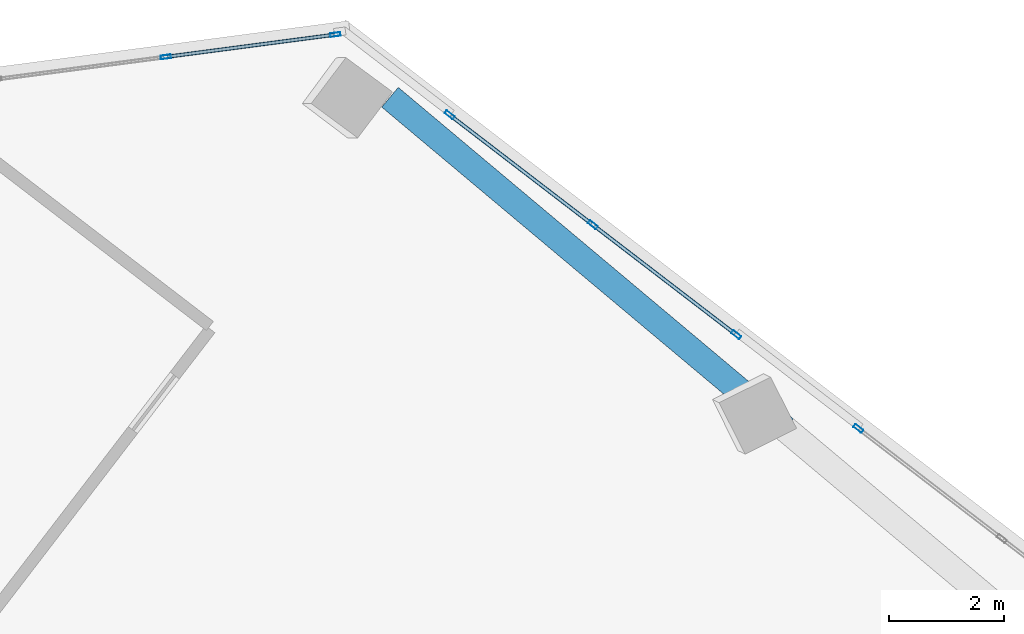
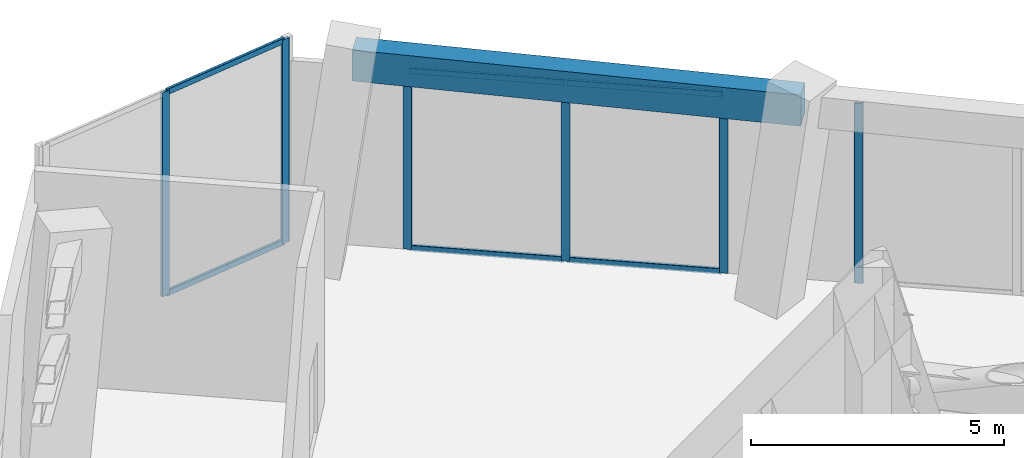
# One storey, part 14 of 22: 12 members, 1 beam, 3 elements without a shape of their own.
"""IFC4 building model written with IfcOpenShell, lengths in metres."""

import ifcopenshell
import ifcopenshell.guid

model = None  # the IFC model being written
_history = None  # IfcOwnerHistory: only IFC2X3 demands one
_inside = {}  # id of a spatial element -> (the spatial element, [elements in it])
_under = {}  # id of a project, library or spatial element -> (it, [spatial elements below it])
_declared = {}  # id of a project -> (the project, [libraries it declares])
_typed = {}  # id of a type object -> (the type object, [elements of that type])
_made_of = {}  # id of a material, layer set ... -> (it, [elements and type objects made of it])


def new_model(schema):
    """Start an empty IFC model of exactly this schema.

    Asked for "IFC4X3", IfcOpenShell would pick the latest addendum, in which some entities
    have other attributes; the version numbers below select the first issue.
    IFC2X3 requires an IfcOwnerHistory on every rooted entity: one is made here for all.
    """
    global model, _history
    if schema == "IFC4X3":
        model = ifcopenshell.file(schema_version=(4, 3, 0, 0))
    else:
        model = ifcopenshell.file(schema=schema)
    _inside.clear()
    _under.clear()
    _declared.clear()
    _typed.clear()
    _made_of.clear()
    _history = None
    if model.schema == "IFC2X3":
        org = make("IfcOrganization", Name="unknown")
        user = make(
            "IfcPersonAndOrganization",
            ThePerson=make("IfcPerson", FamilyName="unknown"),
            TheOrganization=org,
        )
        app = make(
            "IfcApplication",
            ApplicationDeveloper=org,
            Version="unknown",
            ApplicationFullName="unknown",
            ApplicationIdentifier="unknown",
        )
        _history = make(
            "IfcOwnerHistory",
            OwningUser=user,
            OwningApplication=app,
            ChangeAction="ADDED",
            CreationDate=0,
        )
    return model


def make(cls, **values):
    """One entity of the class cls with the attributes given. An attribute that is None is left unset."""
    return model.create_entity(
        cls, **{name: value for name, value in values.items() if value is not None}
    )


def rooted(cls, **values):
    """An entity with a GlobalId (a new one), such as an element, a storey or a relation."""
    return make(cls, GlobalId=ifcopenshell.guid.new(), OwnerHistory=_history, **values)


def si_unit(unit_type, name, prefix=None):
    """IfcSIUnit, for example si_unit("LENGTHUNIT", "METRE", prefix="MILLI")."""
    return make("IfcSIUnit", UnitType=unit_type, Prefix=prefix, Name=name)


def assignment(units):
    """IfcUnitAssignment: the units of a project."""
    return None if units is None else make("IfcUnitAssignment", Units=units)


def point(xyz):
    """IfcCartesianPoint."""
    return None if xyz is None else make("IfcCartesianPoint", Coordinates=xyz)


def direction(xyz):
    """IfcDirection."""
    return None if xyz is None else make("IfcDirection", DirectionRatios=xyz)


def frame(location, z_axis=None, x_axis=None):
    """IfcAxis2Placement3D, a coordinate frame: its origin and axes. An axis left out is left unset."""
    return make(
        "IfcAxis2Placement3D",
        Location=point(location),
        Axis=direction(z_axis),
        RefDirection=direction(x_axis),
    )


def frame_2d(location, x_axis=None):
    """IfcAxis2Placement2D, a coordinate frame in the plane: its origin and x axis."""
    return make(
        "IfcAxis2Placement2D", Location=point(location), RefDirection=direction(x_axis)
    )


def origin():
    """The frame at (0, 0, 0) with its axes left unset."""
    return frame((0.0, 0.0, 0.0))


def origin_2d():
    """The frame at (0, 0) in the plane with its x axis left unset."""
    return frame_2d((0.0, 0.0))


def place(relative_to, where):
    """IfcLocalPlacement: puts the frame where relative to a parent placement (None: the world)."""
    return make(
        "IfcLocalPlacement", PlacementRelTo=relative_to, RelativePlacement=where
    )


def context(
    kind, dimensions, precision=None, world=None, true_north=None, identifier=None
):
    """IfcGeometricRepresentationContext, for example the 3D "Model" context."""
    return make(
        "IfcGeometricRepresentationContext",
        ContextIdentifier=identifier,
        ContextType=kind,
        CoordinateSpaceDimension=dimensions,
        Precision=precision,
        WorldCoordinateSystem=world,
        TrueNorth=true_north,
    )


def subcontext(parent, identifier, kind, view, scale=None):
    """IfcGeometricRepresentationSubContext, for example "Body" below "Model"."""
    return make(
        "IfcGeometricRepresentationSubContext",
        ContextIdentifier=identifier,
        ContextType=kind,
        ParentContext=parent,
        TargetScale=scale,
        TargetView=view,
    )


def project(units=None, contexts=None):
    """IfcProject with its units and contexts."""
    return rooted(
        "IfcProject",
        Name="project",
        RepresentationContexts=contexts,
        UnitsInContext=assignment(units),
    )


def spatial(cls, under=None, at=None, **own):
    """A site, building, storey or space (cls), placed at a placement, below another one or the project."""
    s = rooted(cls, ObjectPlacement=at, **own)
    if under is not None:
        _under.setdefault(under.id(), (under, []))[1].append(s)
    return s


def profile(cls, at=None, kind="AREA", **sizes):
    """A parametric profile (cls). Its sizes go by their IFC names, for example OverallWidth=200.0."""
    return make(cls, ProfileType=kind, Position=at, **sizes)


def rectangle(**sizes):
    """IfcRectangleProfileDef."""
    return profile("IfcRectangleProfileDef", **sizes)


def hollow_rectangle(**sizes):
    """IfcRectangleHollowProfileDef."""
    return profile("IfcRectangleHollowProfileDef", **sizes)


def extrude(swept, where, along, depth):
    """IfcExtrudedAreaSolid: the profile swept, set in the frame where, extruded along a direction by depth."""
    return make(
        "IfcExtrudedAreaSolid",
        SweptArea=swept,
        Position=where,
        ExtrudedDirection=direction(along),
        Depth=depth,
    )


def shape(context_of_items, identifier, shape_type, items):
    """IfcShapeRepresentation: the items that make up one representation, for example the "Body"."""
    return make(
        "IfcShapeRepresentation",
        ContextOfItems=context_of_items,
        RepresentationIdentifier=identifier,
        RepresentationType=shape_type,
        Items=items,
    )


def source(mapping_origin, context_of_items, identifier, shape_type, items):
    """IfcRepresentationMap: a shape defined once, which mapped items show again and again."""
    return make(
        "IfcRepresentationMap",
        MappingOrigin=mapping_origin,
        MappedRepresentation=shape(context_of_items, identifier, shape_type, items),
    )


def transform(
    local_origin,
    x_axis=None,
    y_axis=None,
    z_axis=None,
    scale=None,
    scale2=None,
    scale3=None,
    uniform=True,
):
    """IfcCartesianTransformationOperator3D, or its non-uniform kind. x_axis, y_axis, z_axis: its Axis1, 2, 3."""
    if uniform:
        return make(
            "IfcCartesianTransformationOperator3D",
            Axis1=direction(x_axis),
            Axis2=direction(y_axis),
            LocalOrigin=point(local_origin),
            Scale=scale,
            Axis3=direction(z_axis),
        )
    return make(
        "IfcCartesianTransformationOperator3DnonUniform",
        Axis1=direction(x_axis),
        Axis2=direction(y_axis),
        LocalOrigin=point(local_origin),
        Scale=scale,
        Axis3=direction(z_axis),
        Scale2=scale2,
        Scale3=scale3,
    )


def mapped(mapping_source, mapping_target):
    """IfcMappedItem: shows the shape of a source again, moved by a transform."""
    return make(
        "IfcMappedItem", MappingSource=mapping_source, MappingTarget=mapping_target
    )


def material(Name=None, Category=None):
    """IfcMaterial."""
    return make("IfcMaterial", Name=Name, Category=Category)


def material_profile(
    of_material, cross_section, Name=None, Category=None, Priority=None
):
    """IfcMaterialProfile: a cross section and its material."""
    return make(
        "IfcMaterialProfile",
        Name=Name,
        Material=of_material,
        Profile=cross_section,
        Priority=Priority,
        Category=Category,
    )


def profile_set(profiles, Name=None, composite=None):
    """IfcMaterialProfileSet."""
    return make(
        "IfcMaterialProfileSet",
        Name=Name,
        MaterialProfiles=profiles,
        CompositeProfile=composite,
    )


def made_of(thing, what):
    """Note that an element or type object is made of a material, layer set ...; save() writes the relation."""
    if what is not None:
        _made_of.setdefault(what.id(), (what, []))[1].append(thing)
    return thing


def type_object(cls, material=None, **own):
    """A type object (cls), such as IfcWallType, which elements share."""
    return made_of(rooted(cls, **own), material)


def element(
    cls,
    number,
    at=None,
    inside=None,
    cuts=None,
    type_object=None,
    material=None,
    context=None,
    identifier="Body",
    shape_type=None,
    held_by="IfcProductDefinitionShape",
    body=None,
    shapes=None,
    **own,
):
    """One element of the class cls, such as IfcWall. Its Tag is "e" and its number.

    at: its placement. inside: the storey or other place that contains it. cuts: it is an
    opening in that element (IfcRelVoidsElement). A single representation is given by context,
    identifier, shape_type and body (its items); several are given by shapes. held_by: the class
    of the entity that holds the representations. save() writes the other relations.
    """
    e = rooted(cls, Tag="e%d" % number, ObjectPlacement=at, **own)
    if body is not None:
        shapes = [shape(context, identifier, shape_type, body)]
    if shapes is not None:
        e.Representation = make(held_by, Representations=shapes)
    if inside is not None:
        _inside.setdefault(inside.id(), (inside, []))[1].append(e)
    if cuts is not None:
        rooted(
            "IfcRelVoidsElement", RelatingBuildingElement=cuts, RelatedOpeningElement=e
        )
    if type_object is not None:
        _typed.setdefault(type_object.id(), (type_object, []))[1].append(e)
    return made_of(e, material)


def aggregate(whole, parts):
    """IfcRelAggregates: a whole, such as a stair, and the parts it consists of."""
    return rooted("IfcRelAggregates", RelatingObject=whole, RelatedObjects=parts)


def save(model, path):
    """Write the relations noted so far, then the file.

    IfcRelAggregates (storeys below a building ...), IfcRelContainedInSpatialStructure (elements
    in a storey), IfcRelDefinesByType, IfcRelAssociatesMaterial and IfcRelDeclares: one each for
    every whole, place, type object, material and project.
    """
    for whole, parts in _under.values():
        aggregate(whole, parts)
    for where, things in _inside.values():
        rooted(
            "IfcRelContainedInSpatialStructure",
            RelatedElements=things,
            RelatingStructure=where,
        )
    for kind, things in _typed.values():
        rooted("IfcRelDefinesByType", RelatedObjects=things, RelatingType=kind)
    for what, things in _made_of.values():
        rooted("IfcRelAssociatesMaterial", RelatedObjects=things, RelatingMaterial=what)
    for by, libraries in _declared.values():
        rooted("IfcRelDeclares", RelatingContext=by, RelatedDefinitions=libraries)
    model.write(path)


model = new_model("IFC4")

# Units and contexts
model_context = context("Model", 3, precision=1e-05, world=origin(), true_north=direction((0.0, 1.0)))
body_context = subcontext(model_context, "Body", "Model", "MODEL_VIEW")
ifc_project = project(units=[si_unit("LENGTHUNIT", "METRE"), si_unit("AREAUNIT", "SQUARE_METRE"), si_unit("VOLUMEUNIT", "CUBIC_METRE"), si_unit("PLANEANGLEUNIT", "RADIAN"), si_unit("MASSUNIT", "GRAM", prefix="KILO")], contexts=[model_context])

# Site, building, storey
site_placement = place(None, origin())
site = spatial("IfcSite", under=ifc_project, at=site_placement, CompositionType="ELEMENT")
building_placement = place(site_placement, origin())
building = spatial("IfcBuilding", under=site, at=building_placement, Name="Torre Montelarca", CompositionType="ELEMENT")
storey_placement = place(building_placement, frame((0.0, 0.0, 209.800048828125)))
storey = spatial("IfcBuildingStorey", under=building, at=storey_placement, Name="L47", CompositionType="ELEMENT", Elevation=209.800048828125)

# Beam
ifc_material_1 = material(Name="Concrete C55/67", Category="concrete")
ifc_material_profile_1 = material_profile(ifc_material_1, rectangle(XDim=0.449951171875, YDim=0.75, at=origin_2d()), Name="RCB450X750", Category="concrete")
ifc_profile_set_1 = profile_set([ifc_material_profile_1], Name="Concrete C55/67")
beam_type = type_object("IfcBeamType", Name="BM-SP-RC750-EXT", PredefinedType="SPANDREL", material=ifc_profile_set_1)
shared_shape_1 = source(origin(), body_context, "Body", "SweptSolid", [
    extrude(rectangle(XDim=0.449951171875, YDim=0.75, at=origin_2d()), origin(), (0.0, 0.0, 1.0), 9.000244140625),
])
beam_placement = place(storey_placement, frame((21.66259765625, 51.640380859375, 4.744873046875), z_axis=(0.766046761698, -0.642784846501, 0.0), x_axis=(0.642784846501, 0.766046761698, 0.0)))
element("IfcBeam", 1, at=beam_placement, inside=storey, type_object=beam_type, Name="L47 Grid Girder X 9.0-18.0 at Y=47.1", PredefinedType="SPANDREL", context=body_context, shape_type="MappedRepresentation", body=[
    mapped(shared_shape_1, transform((0.0, 0.0, 0.0), scale=1.0)),
])

# Curtain wall, members
ifc_material_2 = material(Name="Insulated low-E laminated glass", Category="glass")
curtain_wall_type = type_object("IfcCurtainWallType", Name="CW-SYS-Z2", PredefinedType="USERDEFINED", material=ifc_material_2)
curtain_wall_1_placement = place(storey_placement, origin())
curtain_wall_1 = element("IfcCurtainWall", 2, at=curtain_wall_1_placement, inside=storey, type_object=curtain_wall_type, Name="L47 Curtain Wall Run CW-T3-L47-E09-B1", ObjectType="UNITISED GLAZING", PredefinedType="USERDEFINED")
ifc_material_3 = material(Name="Anodised aluminium AA 6063-T6", Category="aluminium")
ifc_material_profile_2 = material_profile(ifc_material_3, hollow_rectangle(XDim=0.06494140625, YDim=0.139892578125, WallThickness=0.00390625, InnerFilletRadius=0.00390625, OuterFilletRadius=0.008056640625, at=origin_2d()), Name="ALU65X140X4", Category="aluminium")
ifc_profile_set_2 = profile_set([ifc_material_profile_2], Name="Anodised aluminium AA 6063-T6")
member_type_1 = type_object("IfcMemberType", Name="CWT-ALU140", PredefinedType="USERDEFINED", material=ifc_profile_set_2)
shared_shape_2 = source(origin(), body_context, "Body", "SweptSolid", [
    extrude(hollow_rectangle(XDim=0.06494140625, YDim=0.139892578125, WallThickness=0.00390625, InnerFilletRadius=0.00390625, OuterFilletRadius=0.008056640625, at=origin_2d()), origin(), (0.0, 0.0, 1.0), 2.91845703125),
])
member_1_placement = place(storey_placement, frame((20.677734375, 52.72900390625, 0.032470703125), z_axis=(-0.991437773685, -0.130580017273, 0.0), x_axis=(0.130580017273, -0.991437773685, 0.0)))
member_1 = element("IfcMember", 3, at=member_1_placement, type_object=member_type_1, Name="CW transom 1.1", ObjectType="TRANSOM", PredefinedType="USERDEFINED", context=body_context, shape_type="MappedRepresentation", body=[
    mapped(shared_shape_2, transform((0.0, 0.0, 0.0), scale=1.0)),
])
member_2_placement = place(storey_placement, frame((20.677734375, 52.72900390625, 4.887451171875), z_axis=(-0.991437773685, -0.130580017273, 0.0), x_axis=(0.130580017273, -0.991437773685, 0.0)))
member_2 = element("IfcMember", 4, at=member_2_placement, type_object=member_type_1, Name="CW transom 1.2", ObjectType="TRANSOM", PredefinedType="USERDEFINED", context=body_context, shape_type="MappedRepresentation", body=[
    mapped(shared_shape_2, transform((0.0, 0.0, 0.0), scale=1.0)),
])
ifc_material_profile_3 = material_profile(ifc_material_3, hollow_rectangle(XDim=0.06494140625, YDim=0.179931640625, WallThickness=0.00390625, InnerFilletRadius=0.00390625, OuterFilletRadius=0.008056640625, at=origin_2d()), Name="ALU65X180X4", Category="aluminium")
ifc_profile_set_3 = profile_set([ifc_material_profile_3], Name="Anodised aluminium AA 6063-T6")
member_type_2 = type_object("IfcMemberType", Name="CWM-ALU180", PredefinedType="MULLION", material=ifc_profile_set_3)
shared_shape_3 = source(origin(), body_context, "Body", "SweptSolid", [
    extrude(hollow_rectangle(XDim=0.06494140625, YDim=0.179931640625, WallThickness=0.00390625, InnerFilletRadius=0.00390625, OuterFilletRadius=0.008056640625, at=origin_2d()), origin(), (0.0, 0.0, 1.0), 4.919921875),
])
member_3_placement = place(storey_placement, frame((20.7099609375, 52.733154296875, 0.0), z_axis=(0.0, 0.0, 1.0), x_axis=(0.130514118862, -0.991446450787, 0.0)))
member_3 = element("IfcMember", 5, at=member_3_placement, type_object=member_type_2, Name="CW mullion 1", PredefinedType="MULLION", context=body_context, shape_type="MappedRepresentation", body=[
    mapped(shared_shape_3, transform((0.0, 0.0, 0.0), scale=1.0)),
])
member_4_placement = place(storey_placement, frame((17.751953125, 52.34375, 0.0), z_axis=(0.0, 0.0, 1.0), x_axis=(0.130514118862, -0.991446450787, 0.0)))
member_4 = element("IfcMember", 6, at=member_4_placement, type_object=member_type_2, Name="CW mullion 2", PredefinedType="MULLION", context=body_context, shape_type="MappedRepresentation", body=[
    mapped(shared_shape_3, transform((0.0, 0.0, 0.0), scale=1.0)),
])
aggregate(curtain_wall_1, [member_3, member_4, member_1, member_2])

curtain_wall_2_placement = place(storey_placement, origin())
curtain_wall_2 = element("IfcCurtainWall", 7, at=curtain_wall_2_placement, inside=storey, type_object=curtain_wall_type, Name="L47 Curtain Wall Run CW-T3-L47-E08-B4", ObjectType="UNITISED GLAZING", PredefinedType="USERDEFINED")
shared_shape_4 = source(origin(), body_context, "Body", "SweptSolid", [
    extrude(hollow_rectangle(XDim=0.06494140625, YDim=0.139892578125, WallThickness=0.00390625, InnerFilletRadius=0.00390625, OuterFilletRadius=0.008056640625, at=origin_2d()), origin(), (0.0, 0.0, 1.0), 3.086181640625),
])
member_5_placement = place(storey_placement, frame((27.677001953125, 47.51611328125, 0.032470703125), z_axis=(-0.793373297344, 0.608735419589, 0.0), x_axis=(-0.608735419589, -0.793373297344, 0.0)))
member_5 = element("IfcMember", 8, at=member_5_placement, type_object=member_type_1, Name="CW transom 1.1", ObjectType="TRANSOM", PredefinedType="USERDEFINED", context=body_context, shape_type="MappedRepresentation", body=[
    mapped(shared_shape_4, transform((0.0, 0.0, 0.0), scale=1.0)),
])
member_6_placement = place(storey_placement, frame((27.677001953125, 47.51611328125, 4.302490234375), z_axis=(-0.793373297344, 0.608735419589, 0.0), x_axis=(-0.608735419589, -0.793373297344, 0.0)))
member_6 = element("IfcMember", 9, at=member_6_placement, type_object=member_type_1, Name="CW transom 1.2", ObjectType="TRANSOM", PredefinedType="USERDEFINED", context=body_context, shape_type="MappedRepresentation", body=[
    mapped(shared_shape_4, transform((0.0, 0.0, 0.0), scale=1.0)),
])
shared_shape_5 = source(origin(), body_context, "Body", "SweptSolid", [
    extrude(hollow_rectangle(XDim=0.06494140625, YDim=0.139892578125, WallThickness=0.00390625, InnerFilletRadius=0.00390625, OuterFilletRadius=0.008056640625, at=origin_2d()), origin(), (0.0, 0.0, 1.0), 3.0859375),
])
member_7_placement = place(storey_placement, frame((25.177001953125, 49.434326171875, 0.032470703125), z_axis=(-0.793343980448, 0.6087736268, 0.0), x_axis=(-0.6087736268, -0.793343980448, 0.0)))
member_7 = element("IfcMember", 10, at=member_7_placement, type_object=member_type_1, Name="CW transom 2.1", ObjectType="TRANSOM", PredefinedType="USERDEFINED", context=body_context, shape_type="MappedRepresentation", body=[
    mapped(shared_shape_5, transform((0.0, 0.0, 0.0), scale=1.0)),
])
member_8_placement = place(storey_placement, frame((25.177001953125, 49.434326171875, 4.302490234375), z_axis=(-0.793343980448, 0.6087736268, 0.0), x_axis=(-0.6087736268, -0.793343980448, 0.0)))
member_8 = element("IfcMember", 11, at=member_8_placement, type_object=member_type_1, Name="CW transom 2.2", ObjectType="TRANSOM", PredefinedType="USERDEFINED", context=body_context, shape_type="MappedRepresentation", body=[
    mapped(shared_shape_5, transform((0.0, 0.0, 0.0), scale=1.0)),
])

# Curtain wall, member
curtain_wall_3_placement = place(storey_placement, origin())
curtain_wall_3 = element("IfcCurtainWall", 12, at=curtain_wall_3_placement, inside=storey, type_object=curtain_wall_type, Name="L47 Curtain Wall Run CW-T3-L47-E08-B3", ObjectType="UNITISED GLAZING", PredefinedType="USERDEFINED")
shared_shape_6 = source(origin(), body_context, "Body", "SweptSolid", [
    extrude(hollow_rectangle(XDim=0.06494140625, YDim=0.179931640625, WallThickness=0.00390625, InnerFilletRadius=0.00390625, OuterFilletRadius=0.008056640625, at=origin_2d()), origin(), (0.0, 0.0, 1.0), 4.3349609375),
])
member_9_placement = place(storey_placement, frame((29.836181640625, 45.859130859375, 0.0), z_axis=(0.0, 0.0, 1.0), x_axis=(-0.608754508496, -0.793358650539, 0.0)))
member_9 = element("IfcMember", 13, at=member_9_placement, type_object=member_type_2, Name="CW mullion 3", PredefinedType="MULLION", context=body_context, shape_type="MappedRepresentation", body=[
    mapped(shared_shape_6, transform((0.0, 0.0, 0.0), scale=1.0)),
])
aggregate(curtain_wall_3, [member_9])

# Member
member_10_placement = place(storey_placement, frame((27.702880859375, 47.496337890625, 0.0), z_axis=(0.0, 0.0, 1.0), x_axis=(-0.608756261074, -0.79335730576, 0.0)))
member_10 = element("IfcMember", 14, at=member_10_placement, type_object=member_type_2, Name="CW mullion 1", PredefinedType="MULLION", context=body_context, shape_type="MappedRepresentation", body=[
    mapped(shared_shape_6, transform((0.0, 0.0, 0.0), scale=1.0)),
])

member_11_placement = place(storey_placement, frame((25.202880859375, 49.41455078125, 0.0), z_axis=(0.0, 0.0, 1.0), x_axis=(-0.608756261074, -0.79335730576, 0.0)))
member_11 = element("IfcMember", 15, at=member_11_placement, type_object=member_type_2, Name="CW mullion 2", PredefinedType="MULLION", context=body_context, shape_type="MappedRepresentation", body=[
    mapped(shared_shape_6, transform((0.0, 0.0, 0.0), scale=1.0)),
])

member_12_placement = place(storey_placement, frame((22.702880859375, 51.332763671875, 0.0), z_axis=(0.0, 0.0, 1.0), x_axis=(-0.608756261074, -0.79335730576, 0.0)))
member_12 = element("IfcMember", 16, at=member_12_placement, type_object=member_type_2, Name="CW mullion 3", PredefinedType="MULLION", context=body_context, shape_type="MappedRepresentation", body=[
    mapped(shared_shape_6, transform((0.0, 0.0, 0.0), scale=1.0)),
])

aggregate(curtain_wall_2, [member_10, member_11, member_12, member_5, member_6, member_7, member_8])

save(model, "model.ifc")
